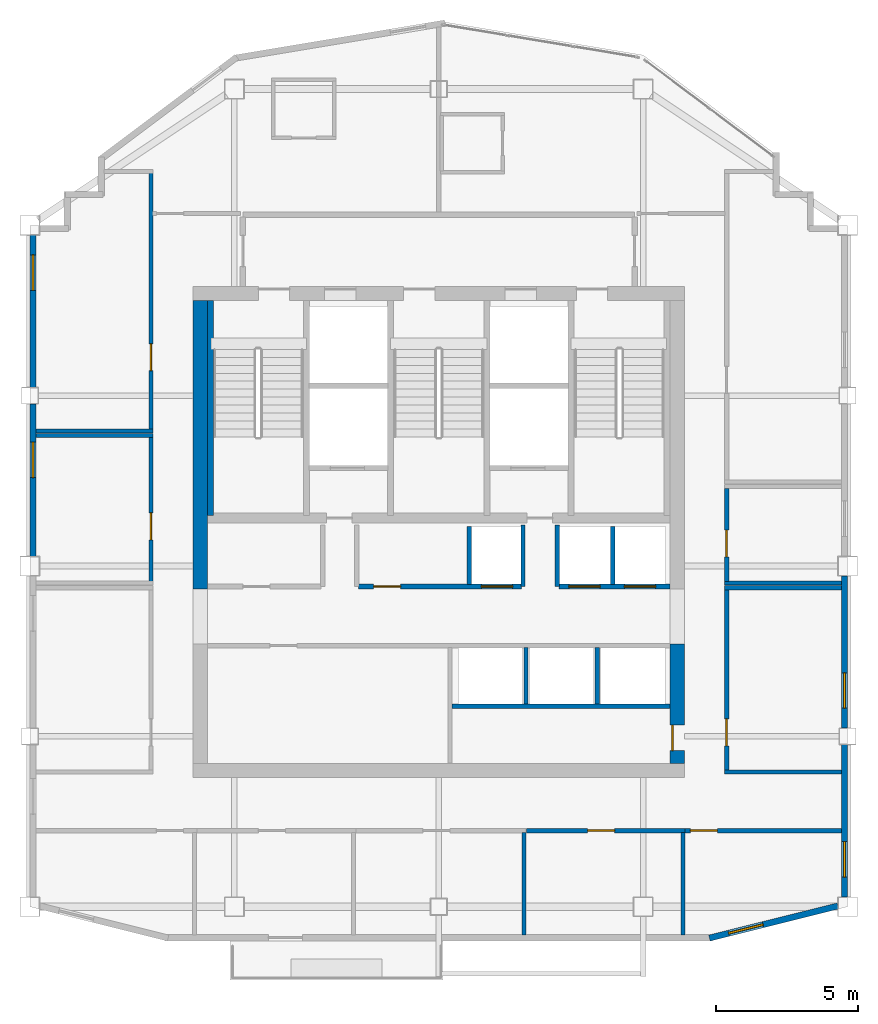
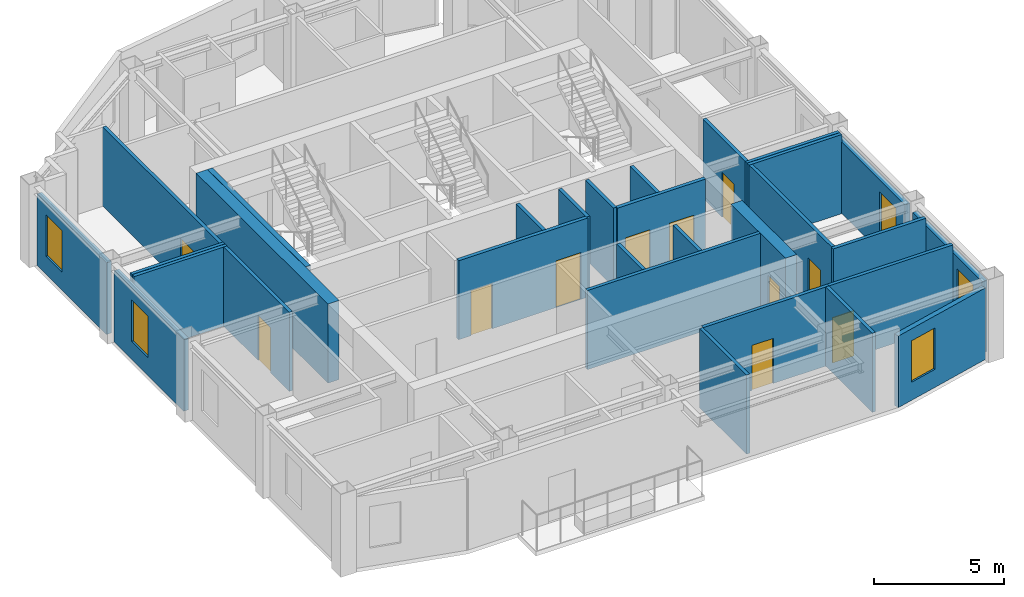
# One storey, part 5 of 8: 30 walls, 11 doors, 5 windows, 16 openings.
"""IFC4 building model written with IfcOpenShell, lengths in metres."""

from ifc_helpers import new_model, si_unit, direction, frame, frame_2d, origin, place, context, subcontext, project, spatial, rectangle, extrude, material, layer, layer_set, type_object, element, fill, save


model = new_model("IFC4")

# Units and contexts
model_context = context("Model", 3, precision=1e-05, world=origin(), true_north=direction((0.0, 1.0)))
body_context = subcontext(model_context, "Body", "Model", "MODEL_VIEW")
ifc_project = project(units=[si_unit("LENGTHUNIT", "METRE"), si_unit("AREAUNIT", "SQUARE_METRE"), si_unit("VOLUMEUNIT", "CUBIC_METRE"), si_unit("PLANEANGLEUNIT", "RADIAN"), si_unit("MASSUNIT", "GRAM", prefix="KILO")], contexts=[model_context])

# Site, building, storey
site_placement = place(None, origin())
site = spatial("IfcSite", under=ifc_project, at=site_placement, CompositionType="ELEMENT")
building_placement = place(site_placement, origin())
building = spatial("IfcBuilding", under=site, at=building_placement, Name="Haolan Belvedere Tower", CompositionType="ELEMENT")
storey_placement = place(building_placement, frame((0.0, 0.0, 301.699951171875)))
storey = spatial("IfcBuildingStorey", under=building, at=storey_placement, Name="L76", CompositionType="ELEMENT", Elevation=301.699951171875)

# Wall
ifc_material_1 = material(Name="Concrete C50/60", Category="concrete")
ifc_layer_1 = layer(ifc_material_1, 0.5, Name="Concrete C50/60")
ifc_layer_set_1 = layer_set([ifc_layer_1], Name="Concrete C50/60")
wall_type_1 = type_object("IfcWallType", Name="WL-CORE-500", PredefinedType="SHEAR", material=ifc_layer_set_1)
wall_1_placement = place(storey_placement, frame((30.0, 32.800048828125, 0.0), z_axis=(0.0, 0.0, 1.0), x_axis=(0.0, 1.0, 0.0)))
element("IfcWall", 1, at=wall_1_placement, inside=storey, type_object=wall_type_1, Name="L76 central core shear wall WN", PredefinedType="SHEAR", context=body_context, shape_type="SweptSolid", body=[
    extrude(rectangle(XDim=10.14990234375, YDim=0.5, at=frame_2d((5.074951171875, 0.0))), origin(), (0.0, 0.0, 1.0), 3.719970703125),
])

# Wall, opening, door
wall_2_placement = place(storey_placement, frame((46.800048828125, 26.64990234375, 0.0), z_axis=(0.0, 0.0, 1.0), x_axis=(0.0, 1.0, 0.0)))
wall_2 = element("IfcWall", 2, at=wall_2_placement, inside=storey, type_object=wall_type_1, Name="L76 central core shear wall ES", PredefinedType="SHEAR", context=body_context, shape_type="SweptSolid", body=[
    extrude(rectangle(XDim=4.2001953125, YDim=0.5, at=frame_2d((2.10009765625, 0.0))), origin(), (0.0, 0.0, 1.0), 3.719970703125),
])
opening_1_placement = place(wall_2_placement, frame((1.349853515625, 0.0, 0.0), z_axis=(0.0, 0.0, 1.0), x_axis=(-1.0, 0.0, 0.0)))
opening_1 = element("IfcOpeningElement", 3, at=opening_1_placement, cuts=wall_2, Name="Opening FD-05", PredefinedType="OPENING", context=body_context, shape_type="SweptSolid", body=[
    extrude(rectangle(XDim=0.89990234375, YDim=2.10009765625, at=frame_2d((0.449951171875, 1.050048828125))), frame((0.0, 0.260009765625, 0.0), z_axis=(0.0, -1.0, 0.0), x_axis=(1.0, 0.0, 0.0)), (0.0, 0.0, 1.0), 0.52001953125),
])
ifc_material_2 = material(Name="Galvanised fire-rated steel", Category="steel")
door_type_1 = type_object("IfcDoorType", Name="DR-FD60-900", OperationType="NOTDEFINED", PredefinedType="DOOR", material=ifc_material_2)
door_1_placement = place(opening_1_placement, origin())
door_1 = element("IfcDoor", 4, at=door_1_placement, inside=storey, type_object=door_type_1, Name="L76 door CD-L76-SCVE", OperationType="SINGLE_SWING_RIGHT", OverallHeight=2.10009765625, OverallWidth=0.89990234375, PredefinedType="DOOR", context=body_context, shape_type="SweptSolid", body=[
    extrude(rectangle(XDim=0.89990234375, YDim=2.10009765625, at=frame_2d((0.449951171875, 1.050048828125))), frame((0.0, -0.134765625, 0.0), z_axis=(0.0, -1.0, 0.0), x_axis=(1.0, 0.0, 0.0)), (0.0, 0.0, 1.0), 0.050048828125),
])
fill(opening_1, door_1)

# Wall, opening, window
ifc_material_3 = material(Name="Precast concrete C40/50", Category="concrete")
ifc_layer_2 = layer(ifc_material_3, 0.219970703125, Name="Precast concrete C40/50")
ifc_layer_set_2 = layer_set([ifc_layer_2], Name="Precast concrete C40/50")
wall_type_2 = type_object("IfcWallType", Name="WL-EXT-220", PredefinedType="SOLIDWALL", material=ifc_layer_set_2)
wall_3_placement = place(storey_placement, frame((47.93310546875, 20.49658203125, 0.0), z_axis=(0.0, 0.0, 1.0), x_axis=(0.970136341762, 0.242560257242, 0.0)))
wall_3 = element("IfcWall", 5, at=wall_3_placement, inside=storey, type_object=wall_type_2, Name="L76 pale-metal exterior spandrel wall 2.1", PredefinedType="SOLIDWALL", context=body_context, shape_type="SweptSolid", body=[
    extrude(rectangle(XDim=4.664306640625, YDim=0.219970703125, at=frame_2d((2.33203125, 0.0))), origin(), (0.0, 0.0, 1.0), 3.364990234375),
])
opening_2_placement = place(wall_3_placement, frame((0.699951171875, 0.0, 0.85009765625)))
opening_2 = element("IfcOpeningElement", 6, at=opening_2_placement, cuts=wall_3, Name="Opening W-04", PredefinedType="OPENING", context=body_context, shape_type="SweptSolid", body=[
    extrude(rectangle(XDim=1.25, YDim=1.949951171875, at=frame_2d((0.625, 0.97509765625))), frame((0.0, 0.119873046875, 0.0), z_axis=(0.0, -1.0, 0.0), x_axis=(1.0, 0.0, 0.0)), (0.0, 0.0, 1.0), 0.239990234375),
])
ifc_material_4 = material(Name="Anodised aluminium 6063-T6 and Low-E glass", Category="aluminium")
window_type = type_object("IfcWindowType", Name="WN-DECO-Z4", PartitioningType="SINGLE_PANEL", PredefinedType="WINDOW", material=ifc_material_4)
window_1_placement = place(opening_2_placement, origin())
window_1 = element("IfcWindow", 7, at=window_1_placement, inside=storey, type_object=window_type, Name="L76 Art Deco chevron window 1", OverallHeight=1.949951171875, OverallWidth=1.25, PartitioningType="SINGLE_PANEL", PredefinedType="WINDOW", context=body_context, shape_type="SweptSolid", body=[
    extrude(rectangle(XDim=1.25, YDim=1.949951171875, at=frame_2d((0.625, 0.97509765625))), frame((0.0, 0.030029296875, 0.0), z_axis=(0.0, -1.0, 0.0), x_axis=(1.0, 0.0, 0.0)), (0.0, 0.0, 1.0), 0.06005859375),
])
fill(opening_2, window_1)

wall_4_placement = place(storey_placement, frame((52.68994140625, 21.94189453125, 0.0), z_axis=(0.0, 0.0, 1.0), x_axis=(0.0, 1.0, 0.0)))
wall_4 = element("IfcWall", 8, at=wall_4_placement, inside=storey, type_object=wall_type_2, Name="L76 pale-metal exterior spandrel wall 3.1", PredefinedType="SOLIDWALL", context=body_context, shape_type="SweptSolid", body=[
    extrude(rectangle(XDim=5.3662109375, YDim=0.219970703125, at=frame_2d((2.68310546875, 0.0))), origin(), (0.0, 0.0, 1.0), 3.364990234375),
])
opening_3_placement = place(wall_4_placement, frame((0.699951171875, 0.0, 0.85009765625)))
opening_3 = element("IfcOpeningElement", 9, at=opening_3_placement, cuts=wall_4, Name="Opening W-04", PredefinedType="OPENING", context=body_context, shape_type="SweptSolid", body=[
    extrude(rectangle(XDim=1.25, YDim=1.949951171875, at=frame_2d((0.625, 0.97509765625))), frame((0.0, 0.119873046875, 0.0), z_axis=(0.0, -1.0, 0.0), x_axis=(1.0, 0.0, 0.0)), (0.0, 0.0, 1.0), 0.239990234375),
])
window_2_placement = place(opening_3_placement, origin())
window_2 = element("IfcWindow", 10, at=window_2_placement, inside=storey, type_object=window_type, Name="L76 Art Deco chevron window 1", OverallHeight=1.949951171875, OverallWidth=1.25, PartitioningType="SINGLE_PANEL", PredefinedType="WINDOW", context=body_context, shape_type="SweptSolid", body=[
    extrude(rectangle(XDim=1.25, YDim=1.949951171875, at=frame_2d((0.625, 0.97509765625))), frame((0.0, 0.030029296875, 0.0), z_axis=(0.0, -1.0, 0.0), x_axis=(1.0, 0.0, 0.0)), (0.0, 0.0, 1.0), 0.06005859375),
])
fill(opening_3, window_2)

wall_5_placement = place(storey_placement, frame((52.68994140625, 27.89208984375, 0.0), z_axis=(0.0, 0.0, 1.0), x_axis=(0.0, 1.0, 0.0)))
wall_5 = element("IfcWall", 11, at=wall_5_placement, inside=storey, type_object=wall_type_2, Name="L76 pale-metal exterior spandrel wall 3.2", PredefinedType="SOLIDWALL", context=body_context, shape_type="SweptSolid", body=[
    extrude(rectangle(XDim=5.365966796875, YDim=0.219970703125, at=frame_2d((2.68310546875, 0.0))), origin(), (0.0, 0.0, 1.0), 3.364990234375),
])
opening_4_placement = place(wall_5_placement, frame((0.699951171875, 0.0, 0.85009765625)))
opening_4 = element("IfcOpeningElement", 12, at=opening_4_placement, cuts=wall_5, Name="Opening W-04", PredefinedType="OPENING", context=body_context, shape_type="SweptSolid", body=[
    extrude(rectangle(XDim=1.25, YDim=1.949951171875, at=frame_2d((0.625, 0.97509765625))), frame((0.0, 0.119873046875, 0.0), z_axis=(0.0, -1.0, 0.0), x_axis=(1.0, 0.0, 0.0)), (0.0, 0.0, 1.0), 0.239990234375),
])
window_3_placement = place(opening_4_placement, origin())
window_3 = element("IfcWindow", 13, at=window_3_placement, inside=storey, type_object=window_type, Name="L76 Art Deco chevron window 1", OverallHeight=1.949951171875, OverallWidth=1.25, PartitioningType="SINGLE_PANEL", PredefinedType="WINDOW", context=body_context, shape_type="SweptSolid", body=[
    extrude(rectangle(XDim=1.25, YDim=1.949951171875, at=frame_2d((0.625, 0.97509765625))), frame((0.0, 0.030029296875, 0.0), z_axis=(0.0, -1.0, 0.0), x_axis=(1.0, 0.0, 0.0)), (0.0, 0.0, 1.0), 0.06005859375),
])
fill(opening_4, window_3)

wall_6_placement = place(storey_placement, frame((24.110107421875, 45.258056640625, 0.0), z_axis=(0.0, 0.0, 1.0), x_axis=(0.0, -1.0, 0.0)))
wall_6 = element("IfcWall", 14, at=wall_6_placement, inside=storey, type_object=wall_type_2, Name="L76 pale-metal exterior spandrel wall 16.1", PredefinedType="SOLIDWALL", context=body_context, shape_type="SweptSolid", body=[
    extrude(rectangle(XDim=5.365966796875, YDim=0.219970703125, at=frame_2d((2.68310546875, 0.0))), origin(), (0.0, 0.0, 1.0), 3.364990234375),
])
opening_5_placement = place(wall_6_placement, frame((0.699951171875, 0.0, 0.85009765625)))
opening_5 = element("IfcOpeningElement", 15, at=opening_5_placement, cuts=wall_6, Name="Opening W-04", PredefinedType="OPENING", context=body_context, shape_type="SweptSolid", body=[
    extrude(rectangle(XDim=1.25, YDim=1.949951171875, at=frame_2d((0.625, 0.97509765625))), frame((0.0, 0.119873046875, 0.0), z_axis=(0.0, -1.0, 0.0), x_axis=(1.0, 0.0, 0.0)), (0.0, 0.0, 1.0), 0.239990234375),
])
window_4_placement = place(opening_5_placement, origin())
window_4 = element("IfcWindow", 16, at=window_4_placement, inside=storey, type_object=window_type, Name="L76 Art Deco chevron window 1", OverallHeight=1.949951171875, OverallWidth=1.25, PartitioningType="SINGLE_PANEL", PredefinedType="WINDOW", context=body_context, shape_type="SweptSolid", body=[
    extrude(rectangle(XDim=1.25, YDim=1.949951171875, at=frame_2d((0.625, 0.97509765625))), frame((0.0, 0.030029296875, 0.0), z_axis=(0.0, -1.0, 0.0), x_axis=(1.0, 0.0, 0.0)), (0.0, 0.0, 1.0), 0.06005859375),
])
fill(opening_5, window_4)

wall_7_placement = place(storey_placement, frame((24.110107421875, 39.30810546875, 0.0), z_axis=(0.0, 0.0, 1.0), x_axis=(0.0, -1.0, 0.0)))
wall_7 = element("IfcWall", 17, at=wall_7_placement, inside=storey, type_object=wall_type_2, Name="L76 pale-metal exterior spandrel wall 16.2", PredefinedType="SOLIDWALL", context=body_context, shape_type="SweptSolid", body=[
    extrude(rectangle(XDim=5.3662109375, YDim=0.219970703125, at=frame_2d((2.68310546875, 0.0))), origin(), (0.0, 0.0, 1.0), 3.364990234375),
])
opening_6_placement = place(wall_7_placement, frame((1.343017578125, 0.0, 0.85009765625)))
opening_6 = element("IfcOpeningElement", 18, at=opening_6_placement, cuts=wall_7, Name="Opening W-04", PredefinedType="OPENING", context=body_context, shape_type="SweptSolid", body=[
    extrude(rectangle(XDim=1.25, YDim=1.949951171875, at=frame_2d((0.625, 0.97509765625))), frame((0.0, 0.119873046875, 0.0), z_axis=(0.0, -1.0, 0.0), x_axis=(1.0, 0.0, 0.0)), (0.0, 0.0, 1.0), 0.239990234375),
])
window_5_placement = place(opening_6_placement, origin())
window_5 = element("IfcWindow", 19, at=window_5_placement, inside=storey, type_object=window_type, Name="L76 Art Deco chevron window 1", OverallHeight=1.949951171875, OverallWidth=1.25, PartitioningType="SINGLE_PANEL", PredefinedType="WINDOW", context=body_context, shape_type="SweptSolid", body=[
    extrude(rectangle(XDim=1.25, YDim=1.949951171875, at=frame_2d((0.625, 0.97509765625))), frame((0.0, 0.030029296875, 0.0), z_axis=(0.0, -1.0, 0.0), x_axis=(1.0, 0.0, 0.0)), (0.0, 0.0, 1.0), 0.06005859375),
])
fill(opening_6, window_5)

# Walls
ifc_material_5 = material(Name="Double gypsum acoustic stud partition", Category="masonry")
ifc_layer_3 = layer(ifc_material_5, 0.14990234375, Name="Double gypsum acoustic stud partition")
ifc_layer_set_3 = layer_set([ifc_layer_3], Name="Double gypsum acoustic stud partition")
wall_type_3 = type_object("IfcWallType", Name="WL-PART-150", PredefinedType="PARTITIONING", material=ifc_layer_set_3)
wall_8_placement = place(storey_placement, frame((38.860107421875, 28.659912109375, 0.0), z_axis=(0.0, 0.0, 1.0), x_axis=(1.0, 0.0, 0.0)))
element("IfcWall", 20, at=wall_8_placement, inside=storey, type_object=wall_type_3, Name="L76 interior partition IW-L76-SSTRIP-E", PredefinedType="PARTITIONING", context=body_context, shape_type="SweptSolid", body=[
    extrude(rectangle(XDim=7.68994140625, YDim=0.14990234375, at=frame_2d((3.844970703125, 0.0))), origin(), (0.0, 0.0, 1.0), 3.719970703125),
])
wall_9_placement = place(storey_placement, frame((24.2119140625, 38.199951171875, 0.0), z_axis=(0.0, 0.0, 1.0), x_axis=(1.0, 0.0, 0.0)))
element("IfcWall", 21, at=wall_9_placement, inside=storey, type_object=wall_type_3, Name="L76 interior partition IW-L76-HSK-N", PredefinedType="PARTITIONING", context=body_context, shape_type="SweptSolid", body=[
    extrude(rectangle(XDim=4.128173828125, YDim=0.14990234375, at=frame_2d((2.06396484375, 0.0))), origin(), (0.0, 0.0, 1.0), 3.719970703125),
])

# Wall, opening, door
wall_10_placement = place(storey_placement, frame((28.260009765625, 33.06005859375, 0.0), z_axis=(0.0, 0.0, 1.0), x_axis=(0.0, 1.0, 0.0)))
wall_10 = element("IfcWall", 22, at=wall_10_placement, inside=storey, type_object=wall_type_3, Name="L76 interior partition IW-L76-HSK-E", PredefinedType="PARTITIONING", context=body_context, shape_type="SweptSolid", body=[
    extrude(rectangle(XDim=5.079833984375, YDim=0.14990234375, at=frame_2d((2.5400390625, 0.0))), origin(), (0.0, 0.0, 1.0), 3.719970703125),
])
opening_7_placement = place(wall_10_placement, frame((2.409912109375, 0.0, 0.0), z_axis=(0.0, 0.0, 1.0), x_axis=(-1.0, 0.0, 0.0)))
opening_7 = element("IfcOpeningElement", 23, at=opening_7_placement, cuts=wall_10, Name="Opening ID-03", PredefinedType="OPENING", context=body_context, shape_type="SweptSolid", body=[
    extrude(rectangle(XDim=0.949951171875, YDim=2.1201171875, at=frame_2d((0.47509765625, 1.06005859375))), frame((0.0, 0.0849609375, 0.0), z_axis=(0.0, -1.0, 0.0), x_axis=(1.0, 0.0, 0.0)), (0.0, 0.0, 1.0), 0.169921875),
])
ifc_material_6 = material(Name="Painted solid-core timber", Category="wood")
door_type_2 = type_object("IfcDoorType", Name="DR-INT-950", OperationType="NOTDEFINED", PredefinedType="DOOR", material=ifc_material_6)
door_2_placement = place(opening_7_placement, origin())
door_2 = element("IfcDoor", 24, at=door_2_placement, inside=storey, type_object=door_type_2, Name="L76 door ID-L76-HSK", OperationType="SINGLE_SWING_LEFT", OverallHeight=2.1201171875, OverallWidth=0.949951171875, PredefinedType="DOOR", context=body_context, shape_type="SweptSolid", body=[
    extrude(rectangle(XDim=0.949951171875, YDim=2.1201171875, at=frame_2d((0.47509765625, 1.06005859375))), frame((0.0, 0.02490234375, 0.0), z_axis=(0.0, -1.0, 0.0), x_axis=(1.0, 0.0, 0.0)), (0.0, 0.0, 1.0), 0.050048828125),
])
fill(opening_7, door_2)

# Wall
wall_11_placement = place(storey_placement, frame((24.2119140625, 38.360107421875, 0.0), z_axis=(0.0, 0.0, 1.0), x_axis=(1.0, 0.0, 0.0)))
element("IfcWall", 25, at=wall_11_placement, inside=storey, type_object=wall_type_3, Name="L76 interior partition IW-L76-VLT-S", PredefinedType="PARTITIONING", context=body_context, shape_type="SweptSolid", body=[
    extrude(rectangle(XDim=4.128173828125, YDim=0.14990234375, at=frame_2d((2.06396484375, 0.0))), origin(), (0.0, 0.0, 1.0), 3.719970703125),
])

# Wall, opening, door
wall_12_placement = place(storey_placement, frame((28.260009765625, 38.419921875, 0.0), z_axis=(0.0, 0.0, 1.0), x_axis=(0.0, 1.0, 0.0)))
wall_12 = element("IfcWall", 26, at=wall_12_placement, inside=storey, type_object=wall_type_3, Name="L76 interior partition IW-L76-VLT-E", PredefinedType="PARTITIONING", context=body_context, shape_type="SweptSolid", body=[
    extrude(rectangle(XDim=9.02001953125, YDim=0.14990234375, at=frame_2d((4.510009765625, 0.0))), origin(), (0.0, 0.0, 1.0), 3.719970703125),
])
opening_8_placement = place(wall_12_placement, frame((3.010009765625, 0.0, 0.0), z_axis=(0.0, 0.0, 1.0), x_axis=(-1.0, 0.0, 0.0)))
opening_8 = element("IfcOpeningElement", 27, at=opening_8_placement, cuts=wall_12, Name="Opening ID-03", PredefinedType="OPENING", context=body_context, shape_type="SweptSolid", body=[
    extrude(rectangle(XDim=0.949951171875, YDim=2.1201171875, at=frame_2d((0.47509765625, 1.06005859375))), frame((0.0, 0.0849609375, 0.0), z_axis=(0.0, -1.0, 0.0), x_axis=(1.0, 0.0, 0.0)), (0.0, 0.0, 1.0), 0.169921875),
])
door_3_placement = place(opening_8_placement, origin())
door_3 = element("IfcDoor", 28, at=door_3_placement, inside=storey, type_object=door_type_2, Name="L76 door ID-L76-VLT", OperationType="SINGLE_SWING_RIGHT", OverallHeight=2.1201171875, OverallWidth=0.949951171875, PredefinedType="DOOR", context=body_context, shape_type="SweptSolid", body=[
    extrude(rectangle(XDim=0.949951171875, YDim=2.1201171875, at=frame_2d((0.47509765625, 1.06005859375))), frame((0.0, 0.02490234375, 0.0), z_axis=(0.0, -1.0, 0.0), x_axis=(1.0, 0.0, 0.0)), (0.0, 0.0, 1.0), 0.050048828125),
])
fill(opening_8, door_3)

# Wall
wall_13_placement = place(storey_placement, frame((48.4599609375, 33.0, 0.0), z_axis=(0.0, 0.0, 1.0), x_axis=(1.0, 0.0, 0.0)))
element("IfcWall", 29, at=wall_13_placement, inside=storey, type_object=wall_type_3, Name="L76 interior partition IW-L76-AWC-S", PredefinedType="PARTITIONING", context=body_context, shape_type="SweptSolid", body=[
    extrude(rectangle(XDim=4.1279296875, YDim=0.14990234375, at=frame_2d((2.06396484375, 0.0))), origin(), (0.0, 0.0, 1.0), 3.719970703125),
])

# Wall, opening, door
wall_14_placement = place(storey_placement, frame((48.5400390625, 33.06005859375, 0.0), z_axis=(0.0, 0.0, 1.0), x_axis=(0.0, 1.0, 0.0)))
wall_14 = element("IfcWall", 30, at=wall_14_placement, inside=storey, type_object=wall_type_3, Name="L76 interior partition IW-L76-AWC-W", PredefinedType="PARTITIONING", context=body_context, shape_type="SweptSolid", body=[
    extrude(rectangle(XDim=3.280029296875, YDim=0.14990234375, at=frame_2d((1.64013671875, 0.0))), origin(), (0.0, 0.0, 1.0), 3.719970703125),
])
opening_9_placement = place(wall_14_placement, frame((0.860107421875, 0.0, 0.0)))
opening_9 = element("IfcOpeningElement", 31, at=opening_9_placement, cuts=wall_14, Name="Opening ID-03", PredefinedType="OPENING", context=body_context, shape_type="SweptSolid", body=[
    extrude(rectangle(XDim=0.949951171875, YDim=2.1201171875, at=frame_2d((0.47509765625, 1.06005859375))), frame((0.0, 0.0849609375, 0.0), z_axis=(0.0, -1.0, 0.0), x_axis=(1.0, 0.0, 0.0)), (0.0, 0.0, 1.0), 0.169921875),
])
door_4_placement = place(opening_9_placement, origin())
door_4 = element("IfcDoor", 32, at=door_4_placement, inside=storey, type_object=door_type_2, Name="L76 door ID-L76-AWC", OperationType="SINGLE_SWING_RIGHT", OverallHeight=2.1201171875, OverallWidth=0.949951171875, PredefinedType="DOOR", context=body_context, shape_type="SweptSolid", body=[
    extrude(rectangle(XDim=0.949951171875, YDim=2.1201171875, at=frame_2d((0.47509765625, 1.06005859375))), frame((0.0, 0.02490234375, 0.0), z_axis=(0.0, -1.0, 0.0), x_axis=(1.0, 0.0, 0.0)), (0.0, 0.0, 1.0), 0.050048828125),
])
fill(opening_9, door_4)

# Walls
for number, where, z_axis, x_axis, name in (
    (33, (48.4599609375, 32.840087890625, 0.0), (0.0, 0.0, 1.0), (1.0, 0.0, 0.0), "L76 interior partition IW-L76-PKTE-N"),
    (34, (48.4599609375, 26.35009765625, 0.0), (0.0, 0.0, 1.0), (1.0, 0.0, 0.0), "L76 interior partition IW-L76-PKTE-S"),
):
    element("IfcWall", number, at=place(storey_placement, frame(where, z_axis=z_axis, x_axis=x_axis)), inside=storey, type_object=wall_type_3, Name=name, PredefinedType="PARTITIONING", context=body_context, shape_type="SweptSolid", body=[
        extrude(rectangle(XDim=4.1279296875, YDim=0.14990234375, at=frame_2d((2.06396484375, 0.0))), origin(), (0.0, 0.0, 1.0), 3.719970703125),
    ])

# Wall, opening, door
wall_15_placement = place(storey_placement, frame((48.5400390625, 26.409912109375, 0.0), z_axis=(0.0, 0.0, 1.0), x_axis=(0.0, 1.0, 0.0)))
wall_15 = element("IfcWall", 35, at=wall_15_placement, inside=storey, type_object=wall_type_3, Name="L76 interior partition IW-L76-PKTE-W", PredefinedType="PARTITIONING", context=body_context, shape_type="SweptSolid", body=[
    extrude(rectangle(XDim=6.3701171875, YDim=0.14990234375, at=frame_2d((3.18505859375, 0.0))), origin(), (0.0, 0.0, 1.0), 3.719970703125),
])
opening_10_placement = place(wall_15_placement, frame((0.860107421875, 0.0, 0.0)))
opening_10 = element("IfcOpeningElement", 36, at=opening_10_placement, cuts=wall_15, Name="Opening ID-03", PredefinedType="OPENING", context=body_context, shape_type="SweptSolid", body=[
    extrude(rectangle(XDim=0.949951171875, YDim=2.1201171875, at=frame_2d((0.47509765625, 1.06005859375))), frame((0.0, 0.0849609375, 0.0), z_axis=(0.0, -1.0, 0.0), x_axis=(1.0, 0.0, 0.0)), (0.0, 0.0, 1.0), 0.169921875),
])
door_5_placement = place(opening_10_placement, origin())
door_5 = element("IfcDoor", 37, at=door_5_placement, inside=storey, type_object=door_type_2, Name="L76 door ID-L76-PKTE", OperationType="SINGLE_SWING_RIGHT", OverallHeight=2.1201171875, OverallWidth=0.949951171875, PredefinedType="DOOR", context=body_context, shape_type="SweptSolid", body=[
    extrude(rectangle(XDim=0.949951171875, YDim=2.1201171875, at=frame_2d((0.47509765625, 1.06005859375))), frame((0.0, 0.02490234375, 0.0), z_axis=(0.0, -1.0, 0.0), x_axis=(1.0, 0.0, 0.0)), (0.0, 0.0, 1.0), 0.050048828125),
])
fill(opening_10, door_5)

# Wall
wall_16_placement = place(storey_placement, frame((41.39990234375, 20.612060546875, 0.0), z_axis=(0.0, 0.0, 1.0), x_axis=(0.0, 1.0, 0.0)))
element("IfcWall", 38, at=wall_16_placement, inside=storey, type_object=wall_type_3, Name="L76 interior partition IW-L76-KS3-E", PredefinedType="PARTITIONING", context=body_context, shape_type="SweptSolid", body=[
    extrude(rectangle(XDim=3.60791015625, YDim=0.14990234375, at=frame_2d((1.803955078125, 0.0))), origin(), (0.0, 0.0, 1.0), 3.719970703125),
])

# Wall, opening, door
wall_17_placement = place(storey_placement, frame((41.48193359375, 24.280029296875, 0.0), z_axis=(0.0, 0.0, 1.0), x_axis=(1.0, 0.0, 0.0)))
wall_17 = element("IfcWall", 39, at=wall_17_placement, inside=storey, type_object=wall_type_3, Name="L76 interior partition IW-L76-KS4-N", PredefinedType="PARTITIONING", context=body_context, shape_type="SweptSolid", body=[
    extrude(rectangle(XDim=5.59814453125, YDim=0.14990234375, at=frame_2d((2.799072265625, 0.0))), origin(), (0.0, 0.0, 1.0), 3.719970703125),
])
opening_11_placement = place(wall_17_placement, frame((3.113037109375, 0.0, 0.0), z_axis=(0.0, 0.0, 1.0), x_axis=(-1.0, 0.0, 0.0)))
opening_11 = element("IfcOpeningElement", 40, at=opening_11_placement, cuts=wall_17, Name="Opening ID-03", PredefinedType="OPENING", context=body_context, shape_type="SweptSolid", body=[
    extrude(rectangle(XDim=0.949951171875, YDim=2.1201171875, at=frame_2d((0.47509765625, 1.06005859375))), frame((0.0, 0.0849609375, 0.0), z_axis=(0.0, -1.0, 0.0), x_axis=(1.0, 0.0, 0.0)), (0.0, 0.0, 1.0), 0.169921875),
])
door_6_placement = place(opening_11_placement, origin())
door_6 = element("IfcDoor", 41, at=door_6_placement, inside=storey, type_object=door_type_2, Name="L76 door ID-L76-KS4", OperationType="SINGLE_SWING_LEFT", OverallHeight=2.1201171875, OverallWidth=0.949951171875, PredefinedType="DOOR", context=body_context, shape_type="SweptSolid", body=[
    extrude(rectangle(XDim=0.949951171875, YDim=2.1201171875, at=frame_2d((0.47509765625, 1.06005859375))), frame((0.0, 0.02490234375, 0.0), z_axis=(0.0, -1.0, 0.0), x_axis=(1.0, 0.0, 0.0)), (0.0, 0.0, 1.0), 0.050048828125),
])
fill(opening_11, door_6)

# Wall
wall_18_placement = place(storey_placement, frame((47.0, 20.612060546875, 0.0), z_axis=(0.0, 0.0, 1.0), x_axis=(0.0, 1.0, 0.0)))
element("IfcWall", 42, at=wall_18_placement, inside=storey, type_object=wall_type_3, Name="L76 interior partition IW-L76-KS4-E", PredefinedType="PARTITIONING", context=body_context, shape_type="SweptSolid", body=[
    extrude(rectangle(XDim=3.60791015625, YDim=0.14990234375, at=frame_2d((1.803955078125, 0.0))), origin(), (0.0, 0.0, 1.0), 3.719970703125),
])

# Wall, opening, door
wall_19_placement = place(storey_placement, frame((47.08203125, 24.280029296875, 0.0), z_axis=(0.0, 0.0, 1.0), x_axis=(1.0, 0.0, 0.0)))
wall_19 = element("IfcWall", 43, at=wall_19_placement, inside=storey, type_object=wall_type_3, Name="L76 interior partition IW-L76-KS5-N", PredefinedType="PARTITIONING", context=body_context, shape_type="SweptSolid", body=[
    extrude(rectangle(XDim=5.505859375, YDim=0.14990234375, at=frame_2d((2.7529296875, 0.0))), origin(), (0.0, 0.0, 1.0), 3.719970703125),
])
opening_12_placement = place(wall_19_placement, frame((1.133056640625, 0.0, 0.0), z_axis=(0.0, 0.0, 1.0), x_axis=(-1.0, 0.0, 0.0)))
opening_12 = element("IfcOpeningElement", 44, at=opening_12_placement, cuts=wall_19, Name="Opening ID-03", PredefinedType="OPENING", context=body_context, shape_type="SweptSolid", body=[
    extrude(rectangle(XDim=0.949951171875, YDim=2.1201171875, at=frame_2d((0.47509765625, 1.06005859375))), frame((0.0, 0.0849609375, 0.0), z_axis=(0.0, -1.0, 0.0), x_axis=(1.0, 0.0, 0.0)), (0.0, 0.0, 1.0), 0.169921875),
])
door_7_placement = place(opening_12_placement, origin())
door_7 = element("IfcDoor", 45, at=door_7_placement, inside=storey, type_object=door_type_2, Name="L76 door ID-L76-KS5", OperationType="SINGLE_SWING_RIGHT", OverallHeight=2.1201171875, OverallWidth=0.949951171875, PredefinedType="DOOR", context=body_context, shape_type="SweptSolid", body=[
    extrude(rectangle(XDim=0.949951171875, YDim=2.1201171875, at=frame_2d((0.47509765625, 1.06005859375))), frame((0.0, 0.02490234375, 0.0), z_axis=(0.0, -1.0, 0.0), x_axis=(1.0, 0.0, 0.0)), (0.0, 0.0, 1.0), 0.050048828125),
])
fill(opening_12, door_7)

# Walls
ifc_material_7 = material(Name="Gypsum fire shaftwall assembly", Category="masonry")
ifc_layer_4 = layer(ifc_material_7, 0.1650390625, Name="Gypsum fire shaftwall assembly")
ifc_layer_set_4 = layer_set([ifc_layer_4], Name="Gypsum fire shaftwall assembly")
wall_type_4 = type_object("IfcWallType", Name="WL-SHAFT-160", PredefinedType="SOLIDWALL", material=ifc_layer_set_4)
for number, where, z_axis, x_axis, name in (
    (46, (41.3701171875, 32.8798828125, 0.0), (0.0, 0.0, 1.0), (0.0, 1.0, 0.0), "L76 interior partition IW-L76-SVP-W-SV2"),
    (47, (42.570068359375, 32.8798828125, 0.0), (0.0, 0.0, 1.0), (0.0, 1.0, 0.0), "L76 interior partition IW-L76-SVP-E-SV2"),
):
    element("IfcWall", number, at=place(storey_placement, frame(where, z_axis=z_axis, x_axis=x_axis)), inside=storey, type_object=wall_type_4, Name=name, PredefinedType="SOLIDWALL", context=body_context, shape_type="SweptSolid", body=[
        extrude(rectangle(XDim=2.170166015625, YDim=0.14990234375, at=frame_2d((1.0849609375, 0.0))), origin(), (0.0, 0.0, 1.0), 3.719970703125),
    ])

# Wall, openings, doors
wall_20_placement = place(storey_placement, frame((35.570068359375, 32.8798828125, 0.0), z_axis=(0.0, 0.0, 1.0), x_axis=(1.0, 0.0, 0.0)))
wall_20 = element("IfcWall", 48, at=wall_20_placement, inside=storey, type_object=wall_type_4, Name="L76 interior partition IW-L76-ROW-PN2", PredefinedType="SOLIDWALL", context=body_context, shape_type="SweptSolid", body=[
    extrude(rectangle(XDim=5.739990234375, YDim=0.159912109375, at=frame_2d((2.8701171875, 0.0))), origin(), (0.0, 0.0, 1.0), 3.719970703125),
])
opening_13_placement = place(wall_20_placement, frame((1.489990234375, 0.0, 0.0), z_axis=(0.0, 0.0, 1.0), x_axis=(-1.0, 0.0, 0.0)))
opening_13 = element("IfcOpeningElement", 49, at=opening_13_placement, cuts=wall_20, Name="Opening ID-03", PredefinedType="OPENING", context=body_context, shape_type="SweptSolid", body=[
    extrude(rectangle(XDim=0.949951171875, YDim=2.1201171875, at=frame_2d((0.47509765625, 1.06005859375))), frame((0.0, 0.08984375, 0.0), z_axis=(0.0, -1.0, 0.0), x_axis=(1.0, 0.0, 0.0)), (0.0, 0.0, 1.0), 0.179931640625),
])
opening_14_placement = place(wall_20_placement, frame((5.43017578125, 0.0, 0.0), z_axis=(0.0, 0.0, 1.0), x_axis=(-1.0, 0.0, 0.0)))
opening_14 = element("IfcOpeningElement", 50, at=opening_14_placement, cuts=wall_20, Name="Opening LD-01", PredefinedType="OPENING", context=body_context, shape_type="SweptSolid", body=[
    extrude(rectangle(XDim=1.10009765625, YDim=2.199951171875, at=frame_2d((0.550048828125, 1.10009765625))), frame((0.0, 0.08984375, 0.0), z_axis=(0.0, -1.0, 0.0), x_axis=(1.0, 0.0, 0.0)), (0.0, 0.0, 1.0), 0.179931640625),
])
door_8_placement = place(opening_13_placement, origin())
door_8 = element("IfcDoor", 51, at=door_8_placement, inside=storey, type_object=door_type_2, Name="L76 door ID-L76-CD-RPLE", OperationType="SINGLE_SWING_RIGHT", OverallHeight=2.1201171875, OverallWidth=0.949951171875, PredefinedType="DOOR", context=body_context, shape_type="SweptSolid", body=[
    extrude(rectangle(XDim=0.949951171875, YDim=2.1201171875, at=frame_2d((0.47509765625, 1.06005859375))), frame((0.0, 0.02490234375, 0.0), z_axis=(0.0, -1.0, 0.0), x_axis=(1.0, 0.0, 0.0)), (0.0, 0.0, 1.0), 0.050048828125),
])
fill(opening_13, door_8)
ifc_material_8 = material(Name="Brushed champagne stainless steel 316L", Category="steel")
door_type_3 = type_object("IfcDoorType", Name="DR-LIFT-1100", OperationType="SLIDING_TO_LEFT", PredefinedType="DOOR", material=ifc_material_8)
door_9_placement = place(opening_14_placement, origin())
door_9 = element("IfcDoor", 52, at=door_9_placement, inside=storey, type_object=door_type_3, Name="L76 door ID-L76-LD-PH1", OperationType="SLIDING_TO_RIGHT", OverallHeight=2.199951171875, OverallWidth=1.10009765625, PredefinedType="DOOR", context=body_context, shape_type="SweptSolid", body=[
    extrude(rectangle(XDim=1.10009765625, YDim=2.199951171875, at=frame_2d((0.550048828125, 1.10009765625))), frame((0.0, 0.02490234375, 0.0), z_axis=(0.0, -1.0, 0.0), x_axis=(1.0, 0.0, 0.0)), (0.0, 0.0, 1.0), 0.050048828125),
])
fill(opening_14, door_9)

wall_21_placement = place(storey_placement, frame((42.6298828125, 32.8798828125, 0.0), z_axis=(0.0, 0.0, 1.0), x_axis=(1.0, 0.0, 0.0)))
wall_21 = element("IfcWall", 53, at=wall_21_placement, inside=storey, type_object=wall_type_4, Name="L76 interior partition IW-L76-ROW-PN3", PredefinedType="SOLIDWALL", context=body_context, shape_type="SweptSolid", body=[
    extrude(rectangle(XDim=3.920166015625, YDim=0.159912109375, at=frame_2d((1.9599609375, 0.0))), origin(), (0.0, 0.0, 1.0), 3.719970703125),
])
opening_15_placement = place(wall_21_placement, frame((1.4501953125, 0.0, 0.0), z_axis=(0.0, 0.0, 1.0), x_axis=(-1.0, 0.0, 0.0)))
opening_15 = element("IfcOpeningElement", 54, at=opening_15_placement, cuts=wall_21, Name="Opening LD-01", PredefinedType="OPENING", context=body_context, shape_type="SweptSolid", body=[
    extrude(rectangle(XDim=1.10009765625, YDim=2.199951171875, at=frame_2d((0.550048828125, 1.10009765625))), frame((0.0, 0.08984375, 0.0), z_axis=(0.0, -1.0, 0.0), x_axis=(1.0, 0.0, 0.0)), (0.0, 0.0, 1.0), 0.179931640625),
])
opening_16_placement = place(wall_21_placement, frame((3.41015625, 0.0, 0.0), z_axis=(0.0, 0.0, 1.0), x_axis=(-1.0, 0.0, 0.0)))
opening_16 = element("IfcOpeningElement", 55, at=opening_16_placement, cuts=wall_21, Name="Opening LD-01", PredefinedType="OPENING", context=body_context, shape_type="SweptSolid", body=[
    extrude(rectangle(XDim=1.10009765625, YDim=2.199951171875, at=frame_2d((0.550048828125, 1.10009765625))), frame((0.0, 0.08984375, 0.0), z_axis=(0.0, -1.0, 0.0), x_axis=(1.0, 0.0, 0.0)), (0.0, 0.0, 1.0), 0.179931640625),
])
door_10_placement = place(opening_15_placement, origin())
door_10 = element("IfcDoor", 56, at=door_10_placement, inside=storey, type_object=door_type_3, Name="L76 door ID-L76-LD-PH2", OperationType="SLIDING_TO_RIGHT", OverallHeight=2.199951171875, OverallWidth=1.10009765625, PredefinedType="DOOR", context=body_context, shape_type="SweptSolid", body=[
    extrude(rectangle(XDim=1.10009765625, YDim=2.199951171875, at=frame_2d((0.550048828125, 1.10009765625))), frame((0.0, 0.02490234375, 0.0), z_axis=(0.0, -1.0, 0.0), x_axis=(1.0, 0.0, 0.0)), (0.0, 0.0, 1.0), 0.050048828125),
])
fill(opening_15, door_10)
door_11_placement = place(opening_16_placement, origin())
door_11 = element("IfcDoor", 57, at=door_11_placement, inside=storey, type_object=door_type_3, Name="L76 door ID-L76-LD-PH3", OperationType="SLIDING_TO_RIGHT", OverallHeight=2.199951171875, OverallWidth=1.10009765625, PredefinedType="DOOR", context=body_context, shape_type="SweptSolid", body=[
    extrude(rectangle(XDim=1.10009765625, YDim=2.199951171875, at=frame_2d((0.550048828125, 1.10009765625))), frame((0.0, 0.02490234375, 0.0), z_axis=(0.0, -1.0, 0.0), x_axis=(1.0, 0.0, 0.0)), (0.0, 0.0, 1.0), 0.050048828125),
])
fill(opening_16, door_11)

# Walls
for number, where, z_axis, x_axis, name in (
    (58, (39.469970703125, 32.949951171875, 0.0), (0.0, 0.0, 1.0), (0.0, 1.0, 0.0), "L76 interior partition IW-L76-DIV-PL4R"),
    (59, (44.530029296875, 32.949951171875, 0.0), (0.0, 0.0, 1.0), (0.0, 1.0, 0.0), "L76 interior partition IW-L76-DIV-PH2"),
):
    element("IfcWall", number, at=place(storey_placement, frame(where, z_axis=z_axis, x_axis=x_axis)), inside=storey, type_object=wall_type_4, Name=name, PredefinedType="SOLIDWALL", context=body_context, shape_type="SweptSolid", body=[
        extrude(rectangle(XDim=2.050048828125, YDim=0.14990234375, at=frame_2d((1.02490234375, 0.0))), origin(), (0.0, 0.0, 1.0), 3.719970703125),
    ])
for number, where, z_axis, x_axis, name in (
    (60, (41.469970703125, 28.75, 0.0), (0.0, 0.0, 1.0), (0.0, 1.0, 0.0), "L76 interior partition IW-L76-DIV-OB1"),
    (61, (43.97998046875, 28.75, 0.0), (0.0, 0.0, 1.0), (0.0, 1.0, 0.0), "L76 interior partition IW-L76-DIV-OB2"),
):
    element("IfcWall", number, at=place(storey_placement, frame(where, z_axis=z_axis, x_axis=x_axis)), inside=storey, type_object=wall_type_4, Name=name, PredefinedType="SOLIDWALL", context=body_context, shape_type="SweptSolid", body=[
        extrude(rectangle(XDim=1.985107421875, YDim=0.14990234375, at=frame_2d((0.99267578125, 0.0))), origin(), (0.0, 0.0, 1.0), 3.719970703125),
    ])
ifc_layer_5 = layer(ifc_material_1, 0.219970703125, Name="Concrete C50/60")
ifc_layer_set_5 = layer_set([ifc_layer_5], Name="Concrete C50/60")
wall_type_5 = type_object("IfcWallType", Name="WL-STAIR-220", PredefinedType="SHEAR", material=ifc_layer_set_5)
wall_22_placement = place(storey_placement, frame((30.362060546875, 35.389892578125, 0.0), z_axis=(0.0, 0.0, 1.0), x_axis=(0.0, 1.0, 0.0)))
element("IfcWall", 62, at=wall_22_placement, inside=storey, type_object=wall_type_5, Name="L76 structural stair core wall ST1W", PredefinedType="SHEAR", context=body_context, shape_type="SweptSolid", body=[
    extrude(rectangle(XDim=7.56005859375, YDim=0.219970703125, at=frame_2d((3.780029296875, 0.0))), origin(), (0.0, 0.0, 1.0), 3.719970703125),
])

save(model, "model.ifc")
